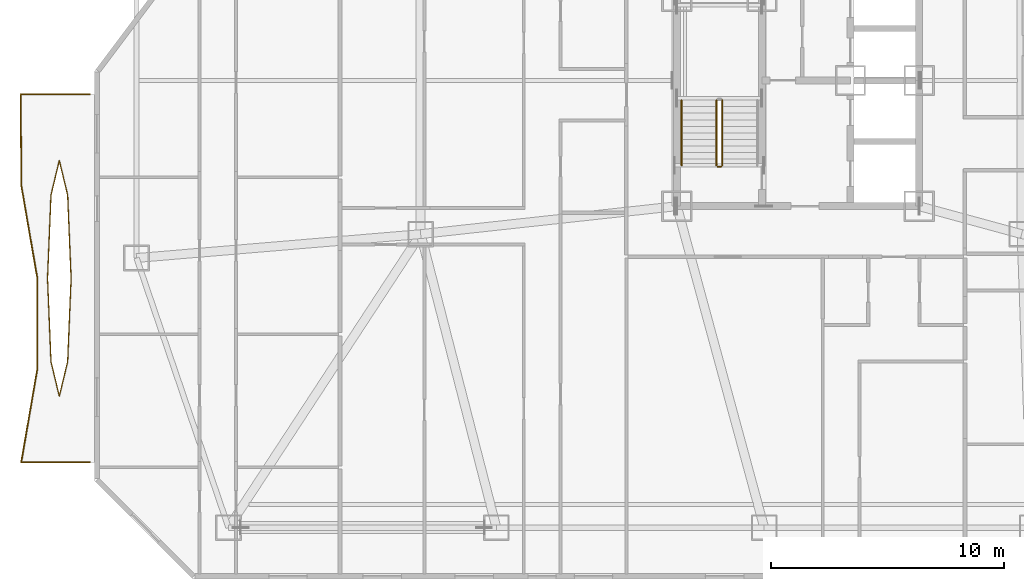
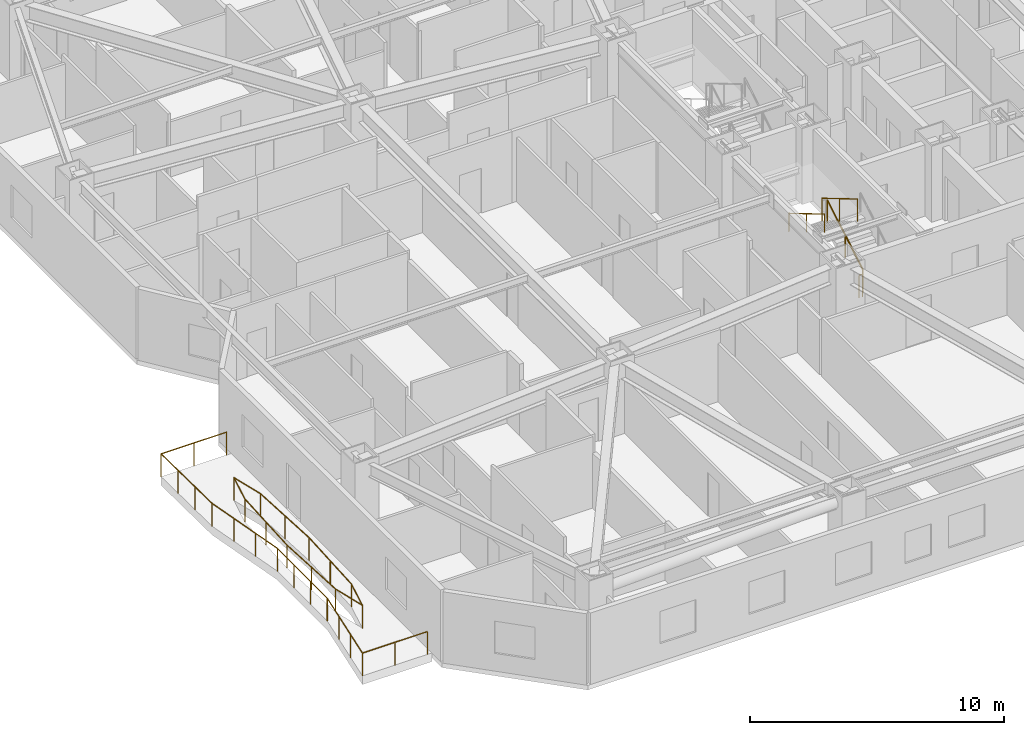
# One storey, part 15 of 16: 8 railings.
"""IFC4 building model written with IfcOpenShell, lengths in metres."""

from ifc_helpers import new_model, si_unit, direction, frame, origin, origin_2d, place, context, subcontext, project, spatial, circle, extrude, material, type_object, element, save


model = new_model("IFC4")

# Units and contexts
model_context = context("Model", 3, precision=1e-05, world=origin(), true_north=direction((0.0, 1.0)))
body_context = subcontext(model_context, "Body", "Model", "MODEL_VIEW")
ifc_project = project(units=[si_unit("LENGTHUNIT", "METRE"), si_unit("AREAUNIT", "SQUARE_METRE"), si_unit("VOLUMEUNIT", "CUBIC_METRE"), si_unit("PLANEANGLEUNIT", "RADIAN"), si_unit("MASSUNIT", "GRAM", prefix="KILO")], contexts=[model_context])

# Site, building, storey
site_placement = place(None, origin())
site = spatial("IfcSite", under=ifc_project, at=site_placement, CompositionType="ELEMENT")
building_placement = place(site_placement, origin())
building = spatial("IfcBuilding", under=site, at=building_placement, Name="Khamvora Tower", CompositionType="ELEMENT")
storey_placement = place(building_placement, frame((0.0, 0.0, 66.14990234375)))
storey = spatial("IfcBuildingStorey", under=building, at=storey_placement, Name="L16", CompositionType="ELEMENT", Elevation=66.14990234375)

# Railings
ifc_material_1 = material(Name="Stainless Steel 316 and Laminated Glass", Category="steel")
railing_type_1 = type_object("IfcRailingType", Name="RAL-GAL-1120", PredefinedType="GUARDRAIL", material=ifc_material_1)
railing_1_placement = place(storey_placement, frame((3.800048828125, 8.0, 0.0)))
element("IfcRailing", 1, at=railing_1_placement, inside=storey, type_object=railing_type_1, Name="L16 lens gallery south perimeter guardrail WL1", PredefinedType="GUARDRAIL", context=body_context, shape_type="SweptSolid", body=[
    extrude(circle(Radius=0.02392578125, at=origin_2d()), frame((0.0, 0.0, 1.09619140625), z_axis=(-1.0, 0.0, 0.0), x_axis=(0.0, -1.0, 0.0)), (0.0, 0.0, 1.0), 2.9521484375),
    extrude(circle(Radius=0.02392578125, at=origin_2d()), frame((-2.9521484375, 0.0, 1.09619140625), z_axis=(0.170174099192, 0.985414012466, 0.0), x_axis=(-0.985414012466, 0.170174099192, 0.0)), (0.0, 0.0, 1.0), 4.00830078125),
    extrude(circle(Radius=0.02392578125, at=origin_2d()), frame((-2.27001953125, 3.949951171875, 1.09619140625), z_axis=(0.002781372516, 0.999996131976, 0.0), x_axis=(-0.999996131976, 0.002781372516, 0.0)), (0.0, 0.0, 1.0), 3.949951171875),
    extrude(circle(Radius=0.02099609375, at=origin_2d()), origin(), (0.0, 0.0, 1.0), 1.072021484375),
    extrude(circle(Radius=0.02099609375, at=origin_2d()), frame((-1.47607421875, 0.0, 0.0)), (0.0, 0.0, 1.0), 1.072021484375),
    extrude(circle(Radius=0.02099609375, at=origin_2d()), frame((-2.9521484375, 0.0, 0.0)), (0.0, 0.0, 1.0), 1.072021484375),
    extrude(circle(Radius=0.02099609375, at=origin_2d()), frame((-2.724853515625, 1.316650390625, 0.0)), (0.0, 0.0, 1.0), 1.072021484375),
    extrude(circle(Radius=0.02099609375, at=origin_2d()), frame((-2.497314453125, 2.63330078125, 0.0)), (0.0, 0.0, 1.0), 1.072021484375),
    extrude(circle(Radius=0.02099609375, at=origin_2d()), frame((-2.27001953125, 3.949951171875, 0.0)), (0.0, 0.0, 1.0), 1.072021484375),
    extrude(circle(Radius=0.02099609375, at=origin_2d()), frame((-2.266357421875, 5.2666015625, 0.0)), (0.0, 0.0, 1.0), 1.072021484375),
    extrude(circle(Radius=0.02099609375, at=origin_2d()), frame((-2.2626953125, 6.583251953125, 0.0)), (0.0, 0.0, 1.0), 1.072021484375),
    extrude(circle(Radius=0.02099609375, at=origin_2d()), frame((-2.259033203125, 7.89990234375, 0.0)), (0.0, 0.0, 1.0), 1.072021484375),
])
railing_2_placement = place(storey_placement, frame((1.541015625, 15.89990234375, 0.0)))
element("IfcRailing", 2, at=railing_2_placement, inside=storey, type_object=railing_type_1, Name="L16 lens gallery north perimeter guardrail WL1", PredefinedType="GUARDRAIL", context=body_context, shape_type="SweptSolid", body=[
    extrude(circle(Radius=0.02392578125, at=origin_2d()), frame((0.0, 0.0, 1.09619140625), z_axis=(-0.17040043076, 0.985374899821, 0.0), x_axis=(-0.985374899821, -0.17040043076, 0.0)), (0.0, 0.0, 1.0), 4.0087890625),
    extrude(circle(Radius=0.02392578125, at=origin_2d()), frame((-0.68310546875, 3.9501953125, 1.09619140625), z_axis=(-0.00933267964, 0.999956449597, 0.0), x_axis=(-0.999956449597, -0.00933267964, 0.0)), (0.0, 0.0, 1.0), 3.9501953125),
    extrude(circle(Radius=0.02392578125, at=origin_2d()), frame((-0.719970703125, 7.900146484375, 1.09619140625), z_axis=(1.0, 0.0, 0.0), x_axis=(0.0, 1.0, 0.0)), (0.0, 0.0, 1.0), 2.97900390625),
    extrude(circle(Radius=0.02099609375, at=origin_2d()), origin(), (0.0, 0.0, 1.0), 1.072021484375),
    extrude(circle(Radius=0.02099609375, at=origin_2d()), frame((-0.227783203125, 1.316650390625, 0.0)), (0.0, 0.0, 1.0), 1.072021484375),
    extrude(circle(Radius=0.02099609375, at=origin_2d()), frame((-0.455322265625, 2.633544921875, 0.0)), (0.0, 0.0, 1.0), 1.072021484375),
    extrude(circle(Radius=0.02099609375, at=origin_2d()), frame((-0.68310546875, 3.9501953125, 0.0)), (0.0, 0.0, 1.0), 1.072021484375),
    extrude(circle(Radius=0.02099609375, at=origin_2d()), frame((-0.6953125, 5.266845703125, 0.0)), (0.0, 0.0, 1.0), 1.072021484375),
    extrude(circle(Radius=0.02099609375, at=origin_2d()), frame((-0.707763671875, 6.58349609375, 0.0)), (0.0, 0.0, 1.0), 1.072021484375),
    extrude(circle(Radius=0.02099609375, at=origin_2d()), frame((-0.719970703125, 7.900146484375, 0.0)), (0.0, 0.0, 1.0), 1.072021484375),
    extrude(circle(Radius=0.02099609375, at=origin_2d()), frame((0.76953125, 7.900146484375, 0.0)), (0.0, 0.0, 1.0), 1.072021484375),
    extrude(circle(Radius=0.02099609375, at=origin_2d()), frame((2.259033203125, 7.900146484375, 0.0)), (0.0, 0.0, 1.0), 1.072021484375),
])
railing_3_placement = place(storey_placement, frame((2.989013671875, 15.89990234375, 0.0)))
element("IfcRailing", 3, at=railing_3_placement, inside=storey, type_object=railing_type_1, Name="L16 lens gallery void guardrail WL1A", PredefinedType="GUARDRAIL", context=body_context, shape_type="SweptSolid", body=[
    extrude(circle(Radius=0.02392578125, at=origin_2d()), frame((0.0, 0.0, 1.09619140625), z_axis=(-0.041346748408, 0.999144857564, 0.0), x_axis=(-0.999144857564, -0.041346748408, 0.0)), (0.0, 0.0, 1.0), 3.578369140625),
    extrude(circle(Radius=0.02392578125, at=origin_2d()), frame((-0.14794921875, 3.5751953125, 1.09619140625), z_axis=(-0.233700305622, 0.972308678945, 0.0), x_axis=(-0.972308678945, -0.233700305622, 0.0)), (0.0, 0.0, 1.0), 1.523193359375),
    extrude(circle(Radius=0.02392578125, at=origin_2d()), frame((-0.50390625, 5.05615234375, 1.09619140625), z_axis=(-0.233851831104, -0.972272246384, 0.0), x_axis=(0.972272246384, -0.233851831104, 0.0)), (0.0, 0.0, 1.0), 1.523193359375),
    extrude(circle(Radius=0.02392578125, at=origin_2d()), frame((-0.860107421875, 3.5751953125, 1.09619140625), z_axis=(-0.041346748408, -0.999144857564, 0.0), x_axis=(0.999144857564, -0.041346748408, 0.0)), (0.0, 0.0, 1.0), 3.578369140625),
    extrude(circle(Radius=0.02099609375, at=origin_2d()), origin(), (0.0, 0.0, 1.0), 1.072021484375),
    extrude(circle(Radius=0.02099609375, at=origin_2d()), frame((-0.073974609375, 1.78759765625, 0.0)), (0.0, 0.0, 1.0), 1.072021484375),
    extrude(circle(Radius=0.02099609375, at=origin_2d()), frame((-0.14794921875, 3.5751953125, 0.0)), (0.0, 0.0, 1.0), 1.072021484375),
    extrude(circle(Radius=0.02099609375, at=origin_2d()), frame((-0.50390625, 5.05615234375, 0.0)), (0.0, 0.0, 1.0), 1.072021484375),
    extrude(circle(Radius=0.02099609375, at=origin_2d()), frame((-0.860107421875, 3.5751953125, 0.0)), (0.0, 0.0, 1.0), 1.072021484375),
    extrude(circle(Radius=0.02099609375, at=origin_2d()), frame((-0.93408203125, 1.78759765625, 0.0)), (0.0, 0.0, 1.0), 1.072021484375),
    extrude(circle(Radius=0.02099609375, at=origin_2d()), frame((-1.008056640625, 0.0, 0.0)), (0.0, 0.0, 1.0), 1.072021484375),
])
railing_4_placement = place(storey_placement, frame((1.98095703125, 15.89990234375, 0.0)))
element("IfcRailing", 4, at=railing_4_placement, inside=storey, type_object=railing_type_1, Name="L16 lens gallery void guardrail WL1B", PredefinedType="GUARDRAIL", context=body_context, shape_type="SweptSolid", body=[
    extrude(circle(Radius=0.02392578125, at=origin_2d()), frame((0.0, 0.0, 1.09619140625), z_axis=(0.041349567233, -0.999144740911, 0.0), x_axis=(0.999144740911, 0.041349567233, 0.0)), (0.0, 0.0, 1.0), 3.578125),
    extrude(circle(Radius=0.02392578125, at=origin_2d()), frame((0.14794921875, -3.574951171875, 1.09619140625), z_axis=(0.233851831104, -0.972272246384, 0.0), x_axis=(0.972272246384, 0.233851831104, 0.0)), (0.0, 0.0, 1.0), 1.523193359375),
    extrude(circle(Radius=0.02392578125, at=origin_2d()), frame((0.504150390625, -5.055908203125, 1.09619140625), z_axis=(0.233700305622, 0.972308678945, 0.0), x_axis=(-0.972308678945, 0.233700305622, 0.0)), (0.0, 0.0, 1.0), 1.523193359375),
    extrude(circle(Radius=0.02392578125, at=origin_2d()), frame((0.860107421875, -3.574951171875, 1.09619140625), z_axis=(0.041349567233, 0.999144740911, 0.0), x_axis=(-0.999144740911, 0.041349567233, 0.0)), (0.0, 0.0, 1.0), 3.578125),
    extrude(circle(Radius=0.02099609375, at=origin_2d()), origin(), (0.0, 0.0, 1.0), 1.072021484375),
    extrude(circle(Radius=0.02099609375, at=origin_2d()), frame((0.073974609375, -1.78759765625, 0.0)), (0.0, 0.0, 1.0), 1.072021484375),
    extrude(circle(Radius=0.02099609375, at=origin_2d()), frame((0.14794921875, -3.574951171875, 0.0)), (0.0, 0.0, 1.0), 1.072021484375),
    extrude(circle(Radius=0.02099609375, at=origin_2d()), frame((0.504150390625, -5.055908203125, 0.0)), (0.0, 0.0, 1.0), 1.072021484375),
    extrude(circle(Radius=0.02099609375, at=origin_2d()), frame((0.860107421875, -3.574951171875, 0.0)), (0.0, 0.0, 1.0), 1.072021484375),
    extrude(circle(Radius=0.02099609375, at=origin_2d()), frame((0.93408203125, -1.78759765625, 0.0)), (0.0, 0.0, 1.0), 1.072021484375),
    extrude(circle(Radius=0.02099609375, at=origin_2d()), frame((1.008056640625, 0.0, 0.0)), (0.0, 0.0, 1.0), 1.072021484375),
])
ifc_material_2 = material(Name="Brushed Stainless Steel 316", Category="steel")
railing_type_2 = type_object("IfcRailingType", Name="RAL-HDR-920", PredefinedType="HANDRAIL", material=ifc_material_2)
railing_5_placement = place(storey_placement, frame((29.199951171875, 23.550048828125, 1.990966796875)))
element("IfcRailing", 5, at=railing_5_placement, inside=storey, type_object=railing_type_2, Name="L16 ST-01 stair handrail 2", PredefinedType="HANDRAIL", context=body_context, shape_type="SweptSolid", body=[
    extrude(circle(Radius=0.02392578125, at=origin_2d()), frame((0.0, 0.0, 0.8759765625), z_axis=(0.0, -0.860306154799, 0.50977771628), x_axis=(1.0, 0.0, 0.0)), (0.0, 0.0, 1.0), 3.254638671875),
    extrude(circle(Radius=0.02099609375, at=origin_2d()), origin(), (0.0, 0.0, 1.0), 0.851806640625),
    extrude(circle(Radius=0.02099609375, at=origin_2d()), frame((0.0, -1.39990234375, 0.82958984375)), (0.0, 0.0, 1.0), 0.851806640625),
    extrude(circle(Radius=0.02099609375, at=origin_2d()), frame((0.0, -2.800048828125, 1.6591796875)), (0.0, 0.0, 1.0), 0.851806640625),
])
ifc_material_3 = material(Name="Stainless Steel 316", Category="steel")
railing_type_3 = type_object("IfcRailingType", Name="RAL-STG-1100", PredefinedType="GUARDRAIL", material=ifc_material_3)
railing_6_placement = place(storey_placement, frame((30.949951171875, 20.75, 0.166015625)))
element("IfcRailing", 6, at=railing_6_placement, inside=storey, type_object=railing_type_3, Name="L16 ST-01 stair guard 1", PredefinedType="GUARDRAIL", context=body_context, shape_type="SweptSolid", body=[
    extrude(circle(Radius=0.02392578125, at=origin_2d()), frame((0.0, 0.0, 1.076171875), z_axis=(0.0, 0.860306154799, 0.50977771628), x_axis=(-1.0, 0.0, 0.0)), (0.0, 0.0, 1.0), 3.254638671875),
    extrude(circle(Radius=0.02099609375, at=origin_2d()), origin(), (0.0, 0.0, 1.0), 1.052001953125),
    extrude(circle(Radius=0.02099609375, at=origin_2d()), frame((0.0, 1.39990234375, 0.82958984375)), (0.0, 0.0, 1.0), 1.052001953125),
    extrude(circle(Radius=0.02099609375, at=origin_2d()), frame((0.0, 2.800048828125, 1.6591796875)), (0.0, 0.0, 1.0), 1.052001953125),
])
railing_7_placement = place(storey_placement, frame((30.699951171875, 23.550048828125, 1.990966796875)))
element("IfcRailing", 7, at=railing_7_placement, inside=storey, type_object=railing_type_3, Name="L16 ST-01 stair guard 3", PredefinedType="GUARDRAIL", context=body_context, shape_type="SweptSolid", body=[
    extrude(circle(Radius=0.02392578125, at=origin_2d()), frame((0.0, 0.0, 1.076171875), z_axis=(0.0, -0.860306154799, 0.50977771628), x_axis=(1.0, 0.0, 0.0)), (0.0, 0.0, 1.0), 3.254638671875),
    extrude(circle(Radius=0.02099609375, at=origin_2d()), origin(), (0.0, 0.0, 1.0), 1.052001953125),
    extrude(circle(Radius=0.02099609375, at=origin_2d()), frame((0.0, -1.39990234375, 0.82958984375)), (0.0, 0.0, 1.0), 1.052001953125),
    extrude(circle(Radius=0.02099609375, at=origin_2d()), frame((0.0, -2.800048828125, 1.6591796875)), (0.0, 0.0, 1.0), 1.052001953125),
])
railing_8_placement = place(storey_placement, frame((30.89990234375, 20.699951171875, 0.0)))
element("IfcRailing", 8, at=railing_8_placement, inside=storey, type_object=railing_type_3, Name="L16 ST-01 stair guard 4", PredefinedType="GUARDRAIL", context=body_context, shape_type="SweptSolid", body=[
    extrude(circle(Radius=0.02392578125, at=origin_2d()), frame((0.0, 0.0, 1.076171875), z_axis=(-1.0, 0.0, 0.0), x_axis=(0.0, -1.0, 0.0)), (0.0, 0.0, 1.0), 0.14990234375),
    extrude(circle(Radius=0.02099609375, at=origin_2d()), origin(), (0.0, 0.0, 1.0), 1.052001953125),
    extrude(circle(Radius=0.02099609375, at=origin_2d()), frame((-0.14990234375, 0.0, 0.0)), (0.0, 0.0, 1.0), 1.052001953125),
])

save(model, "model.ifc")
